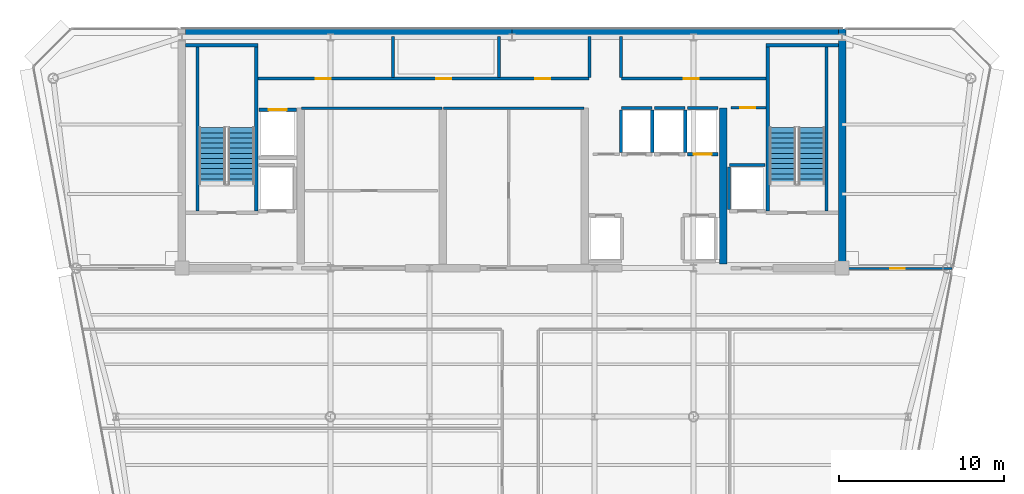
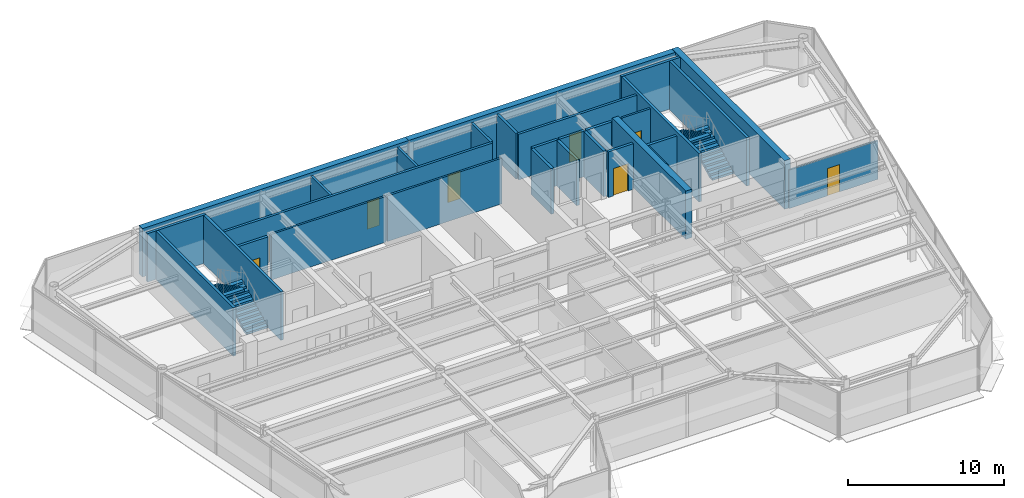
# One storey, part 12 of 19: 30 walls, 8 doors, 4 stair flights, 8 openings, 2 elements without a shape of their own.
"""IFC4 building model written with IfcOpenShell, lengths in metres."""

import ifcopenshell
import ifcopenshell.guid

model = None  # the IFC model being written
_history = None  # IfcOwnerHistory: only IFC2X3 demands one
_inside = {}  # id of a spatial element -> (the spatial element, [elements in it])
_under = {}  # id of a project, library or spatial element -> (it, [spatial elements below it])
_declared = {}  # id of a project -> (the project, [libraries it declares])
_typed = {}  # id of a type object -> (the type object, [elements of that type])
_made_of = {}  # id of a material, layer set ... -> (it, [elements and type objects made of it])


def new_model(schema):
    """Start an empty IFC model of exactly this schema.

    Asked for "IFC4X3", IfcOpenShell would pick the latest addendum, in which some entities
    have other attributes; the version numbers below select the first issue.
    IFC2X3 requires an IfcOwnerHistory on every rooted entity: one is made here for all.
    """
    global model, _history
    if schema == "IFC4X3":
        model = ifcopenshell.file(schema_version=(4, 3, 0, 0))
    else:
        model = ifcopenshell.file(schema=schema)
    _inside.clear()
    _under.clear()
    _declared.clear()
    _typed.clear()
    _made_of.clear()
    _history = None
    if model.schema == "IFC2X3":
        org = make("IfcOrganization", Name="unknown")
        user = make(
            "IfcPersonAndOrganization",
            ThePerson=make("IfcPerson", FamilyName="unknown"),
            TheOrganization=org,
        )
        app = make(
            "IfcApplication",
            ApplicationDeveloper=org,
            Version="unknown",
            ApplicationFullName="unknown",
            ApplicationIdentifier="unknown",
        )
        _history = make(
            "IfcOwnerHistory",
            OwningUser=user,
            OwningApplication=app,
            ChangeAction="ADDED",
            CreationDate=0,
        )
    return model


def make(cls, **values):
    """One entity of the class cls with the attributes given. An attribute that is None is left unset."""
    return model.create_entity(
        cls, **{name: value for name, value in values.items() if value is not None}
    )


def rooted(cls, **values):
    """An entity with a GlobalId (a new one), such as an element, a storey or a relation."""
    return make(cls, GlobalId=ifcopenshell.guid.new(), OwnerHistory=_history, **values)


def si_unit(unit_type, name, prefix=None):
    """IfcSIUnit, for example si_unit("LENGTHUNIT", "METRE", prefix="MILLI")."""
    return make("IfcSIUnit", UnitType=unit_type, Prefix=prefix, Name=name)


def assignment(units):
    """IfcUnitAssignment: the units of a project."""
    return None if units is None else make("IfcUnitAssignment", Units=units)


def point(xyz):
    """IfcCartesianPoint."""
    return None if xyz is None else make("IfcCartesianPoint", Coordinates=xyz)


def direction(xyz):
    """IfcDirection."""
    return None if xyz is None else make("IfcDirection", DirectionRatios=xyz)


def frame(location, z_axis=None, x_axis=None):
    """IfcAxis2Placement3D, a coordinate frame: its origin and axes. An axis left out is left unset."""
    return make(
        "IfcAxis2Placement3D",
        Location=point(location),
        Axis=direction(z_axis),
        RefDirection=direction(x_axis),
    )


def frame_2d(location, x_axis=None):
    """IfcAxis2Placement2D, a coordinate frame in the plane: its origin and x axis."""
    return make(
        "IfcAxis2Placement2D", Location=point(location), RefDirection=direction(x_axis)
    )


def origin():
    """The frame at (0, 0, 0) with its axes left unset."""
    return frame((0.0, 0.0, 0.0))


def place(relative_to, where):
    """IfcLocalPlacement: puts the frame where relative to a parent placement (None: the world)."""
    return make(
        "IfcLocalPlacement", PlacementRelTo=relative_to, RelativePlacement=where
    )


def context(
    kind, dimensions, precision=None, world=None, true_north=None, identifier=None
):
    """IfcGeometricRepresentationContext, for example the 3D "Model" context."""
    return make(
        "IfcGeometricRepresentationContext",
        ContextIdentifier=identifier,
        ContextType=kind,
        CoordinateSpaceDimension=dimensions,
        Precision=precision,
        WorldCoordinateSystem=world,
        TrueNorth=true_north,
    )


def subcontext(parent, identifier, kind, view, scale=None):
    """IfcGeometricRepresentationSubContext, for example "Body" below "Model"."""
    return make(
        "IfcGeometricRepresentationSubContext",
        ContextIdentifier=identifier,
        ContextType=kind,
        ParentContext=parent,
        TargetScale=scale,
        TargetView=view,
    )


def project(units=None, contexts=None):
    """IfcProject with its units and contexts."""
    return rooted(
        "IfcProject",
        Name="project",
        RepresentationContexts=contexts,
        UnitsInContext=assignment(units),
    )


def spatial(cls, under=None, at=None, **own):
    """A site, building, storey or space (cls), placed at a placement, below another one or the project."""
    s = rooted(cls, ObjectPlacement=at, **own)
    if under is not None:
        _under.setdefault(under.id(), (under, []))[1].append(s)
    return s


def polyline(points):
    """IfcPolyline through the points."""
    return make("IfcPolyline", Points=[point(p) for p in points])


def profile(cls, at=None, kind="AREA", **sizes):
    """A parametric profile (cls). Its sizes go by their IFC names, for example OverallWidth=200.0."""
    return make(cls, ProfileType=kind, Position=at, **sizes)


def rectangle(**sizes):
    """IfcRectangleProfileDef."""
    return profile("IfcRectangleProfileDef", **sizes)


def outline(outer, holes=None, kind="AREA"):
    """IfcArbitraryClosedProfileDef: a profile drawn as a closed curve; with holes, ...WithVoids."""
    if holes is None:
        return make("IfcArbitraryClosedProfileDef", ProfileType=kind, OuterCurve=outer)
    return make(
        "IfcArbitraryProfileDefWithVoids",
        ProfileType=kind,
        OuterCurve=outer,
        InnerCurves=holes,
    )


def extrude(swept, where, along, depth):
    """IfcExtrudedAreaSolid: the profile swept, set in the frame where, extruded along a direction by depth."""
    return make(
        "IfcExtrudedAreaSolid",
        SweptArea=swept,
        Position=where,
        ExtrudedDirection=direction(along),
        Depth=depth,
    )


def shape(context_of_items, identifier, shape_type, items):
    """IfcShapeRepresentation: the items that make up one representation, for example the "Body"."""
    return make(
        "IfcShapeRepresentation",
        ContextOfItems=context_of_items,
        RepresentationIdentifier=identifier,
        RepresentationType=shape_type,
        Items=items,
    )


def source(mapping_origin, context_of_items, identifier, shape_type, items):
    """IfcRepresentationMap: a shape defined once, which mapped items show again and again."""
    return make(
        "IfcRepresentationMap",
        MappingOrigin=mapping_origin,
        MappedRepresentation=shape(context_of_items, identifier, shape_type, items),
    )


def transform(
    local_origin,
    x_axis=None,
    y_axis=None,
    z_axis=None,
    scale=None,
    scale2=None,
    scale3=None,
    uniform=True,
):
    """IfcCartesianTransformationOperator3D, or its non-uniform kind. x_axis, y_axis, z_axis: its Axis1, 2, 3."""
    if uniform:
        return make(
            "IfcCartesianTransformationOperator3D",
            Axis1=direction(x_axis),
            Axis2=direction(y_axis),
            LocalOrigin=point(local_origin),
            Scale=scale,
            Axis3=direction(z_axis),
        )
    return make(
        "IfcCartesianTransformationOperator3DnonUniform",
        Axis1=direction(x_axis),
        Axis2=direction(y_axis),
        LocalOrigin=point(local_origin),
        Scale=scale,
        Axis3=direction(z_axis),
        Scale2=scale2,
        Scale3=scale3,
    )


def mapped(mapping_source, mapping_target):
    """IfcMappedItem: shows the shape of a source again, moved by a transform."""
    return make(
        "IfcMappedItem", MappingSource=mapping_source, MappingTarget=mapping_target
    )


def material(Name=None, Category=None):
    """IfcMaterial."""
    return make("IfcMaterial", Name=Name, Category=Category)


def layer(
    of_material, thickness, ventilated=None, Name=None, Category=None, Priority=None
):
    """IfcMaterialLayer: one layer of a wall or slab, of a material (None: an air gap)."""
    return make(
        "IfcMaterialLayer",
        Material=of_material,
        LayerThickness=thickness,
        IsVentilated=ventilated,
        Name=Name,
        Category=Category,
        Priority=Priority,
    )


def layer_set(layers, Name=None):
    """IfcMaterialLayerSet."""
    return make("IfcMaterialLayerSet", MaterialLayers=layers, LayerSetName=Name)


def made_of(thing, what):
    """Note that an element or type object is made of a material, layer set ...; save() writes the relation."""
    if what is not None:
        _made_of.setdefault(what.id(), (what, []))[1].append(thing)
    return thing


def type_object(cls, material=None, **own):
    """A type object (cls), such as IfcWallType, which elements share."""
    return made_of(rooted(cls, **own), material)


def element(
    cls,
    number,
    at=None,
    inside=None,
    cuts=None,
    type_object=None,
    material=None,
    context=None,
    identifier="Body",
    shape_type=None,
    held_by="IfcProductDefinitionShape",
    body=None,
    shapes=None,
    **own,
):
    """One element of the class cls, such as IfcWall. Its Tag is "e" and its number.

    at: its placement. inside: the storey or other place that contains it. cuts: it is an
    opening in that element (IfcRelVoidsElement). A single representation is given by context,
    identifier, shape_type and body (its items); several are given by shapes. held_by: the class
    of the entity that holds the representations. save() writes the other relations.
    """
    e = rooted(cls, Tag="e%d" % number, ObjectPlacement=at, **own)
    if body is not None:
        shapes = [shape(context, identifier, shape_type, body)]
    if shapes is not None:
        e.Representation = make(held_by, Representations=shapes)
    if inside is not None:
        _inside.setdefault(inside.id(), (inside, []))[1].append(e)
    if cuts is not None:
        rooted(
            "IfcRelVoidsElement", RelatingBuildingElement=cuts, RelatedOpeningElement=e
        )
    if type_object is not None:
        _typed.setdefault(type_object.id(), (type_object, []))[1].append(e)
    return made_of(e, material)


def fill(opening, filler):
    """IfcRelFillsElement: the door or window that sits in an opening."""
    return rooted(
        "IfcRelFillsElement",
        RelatingOpeningElement=opening,
        RelatedBuildingElement=filler,
    )


def aggregate(whole, parts):
    """IfcRelAggregates: a whole, such as a stair, and the parts it consists of."""
    return rooted("IfcRelAggregates", RelatingObject=whole, RelatedObjects=parts)


def save(model, path):
    """Write the relations noted so far, then the file.

    IfcRelAggregates (storeys below a building ...), IfcRelContainedInSpatialStructure (elements
    in a storey), IfcRelDefinesByType, IfcRelAssociatesMaterial and IfcRelDeclares: one each for
    every whole, place, type object, material and project.
    """
    for whole, parts in _under.values():
        aggregate(whole, parts)
    for where, things in _inside.values():
        rooted(
            "IfcRelContainedInSpatialStructure",
            RelatedElements=things,
            RelatingStructure=where,
        )
    for kind, things in _typed.values():
        rooted("IfcRelDefinesByType", RelatedObjects=things, RelatingType=kind)
    for what, things in _made_of.values():
        rooted("IfcRelAssociatesMaterial", RelatedObjects=things, RelatingMaterial=what)
    for by, libraries in _declared.values():
        rooted("IfcRelDeclares", RelatingContext=by, RelatedDefinitions=libraries)
    model.write(path)


model = new_model("IFC4")

# Units and contexts
model_context = context("Model", 3, precision=1e-05, world=origin(), true_north=direction((0.0, 1.0)))
body_context = subcontext(model_context, "Body", "Model", "MODEL_VIEW")
ifc_project = project(units=[si_unit("LENGTHUNIT", "METRE"), si_unit("AREAUNIT", "SQUARE_METRE"), si_unit("VOLUMEUNIT", "CUBIC_METRE"), si_unit("PLANEANGLEUNIT", "RADIAN"), si_unit("MASSUNIT", "GRAM", prefix="KILO")], contexts=[model_context])

# Site, building, storey
site_placement = place(None, origin())
site = spatial("IfcSite", under=ifc_project, at=site_placement, CompositionType="ELEMENT")
building_placement = place(site_placement, origin())
building = spatial("IfcBuilding", under=site, at=building_placement, Name="Vaeldorn Concourse Tower", CompositionType="ELEMENT")
storey_placement = place(building_placement, frame((0.0, 0.0, 272.60009765625)))
storey = spatial("IfcBuildingStorey", under=building, at=storey_placement, Name="L70", CompositionType="ELEMENT", Elevation=272.60009765625)

# Walls
ifc_material_1 = material(Name="Concrete C50/60", Category="concrete")
ifc_layer_1 = layer(ifc_material_1, 0.449951171875)
ifc_layer_set_1 = layer_set([ifc_layer_1], Name="Concrete C50/60")
wall_type_1 = type_object("IfcWallType", Name="WL-CORE-450", PredefinedType="SHEAR", material=ifc_layer_set_1)
for number, where, z_axis, x_axis, name in (
    (1, (14.22900390625, 50.77490234375, 0.0), (0.0, 0.0, 1.0), (1.0, 0.0, 0.0), "Rear Core Shear Wall L70 N1"),
    (2, (34.001953125, 50.77490234375, 0.0), (0.0, 0.0, 1.0), (1.0, 0.0, 0.0), "Rear Core Shear Wall L70 N2"),
):
    element("IfcWall", number, at=place(storey_placement, frame(where, z_axis=z_axis, x_axis=x_axis)), inside=storey, type_object=wall_type_1, Name=name, PredefinedType="SHEAR", context=body_context, shape_type="SweptSolid", body=[
        extrude(rectangle(XDim=19.76904296875, YDim=0.449951171875, at=frame_2d((9.884521484375, 0.0))), origin(), (0.0, 0.0, 1.0), 3.7998046875),
    ])
wall_1_placement = place(storey_placement, frame((54.0, 36.5, 0.0), z_axis=(0.0, 0.0, 1.0), x_axis=(0.0, 1.0, 0.0)))
element("IfcWall", 3, at=wall_1_placement, inside=storey, type_object=wall_type_1, Name="Rear Core Shear Wall L70 E1", PredefinedType="SHEAR", context=body_context, shape_type="SweptSolid", body=[
    extrude(rectangle(XDim=14.5, YDim=0.449951171875, at=frame_2d((7.25, 0.0))), origin(), (0.0, 0.0, 1.0), 3.7998046875),
])
wall_2_placement = place(storey_placement, frame((46.800048828125, 36.7451171875, 0.0), z_axis=(0.0, 0.0, 1.0), x_axis=(0.0, 1.0, 0.0)))
element("IfcWall", 4, at=wall_2_placement, inside=storey, type_object=wall_type_1, Name="Rear Core Shear Wall L70 M4", PredefinedType="SHEAR", context=body_context, shape_type="SweptSolid", body=[
    extrude(rectangle(XDim=9.454833984375, YDim=0.449951171875, at=frame_2d((4.7275390625, 0.0))), origin(), (0.0, 0.0, 1.0), 3.7998046875),
])

# Wall, opening, door
ifc_material_2 = material(Name="Gypsum Board Partition", Category="gypsum")
ifc_layer_2 = layer(ifc_material_2, 0.1201171875)
ifc_layer_set_2 = layer_set([ifc_layer_2], Name="Gypsum Board Partition")
wall_type_2 = type_object("IfcWallType", Name="WL-PART-120", PredefinedType="PARTITIONING", material=ifc_layer_set_2)
wall_3_placement = place(storey_placement, frame((54.06005859375, 36.47998046875, 0.0), z_axis=(0.0, 0.0, 1.0), x_axis=(1.0, 0.0, 0.0)))
wall_3 = element("IfcWall", 5, at=wall_3_placement, inside=storey, type_object=wall_type_2, Name="Interior Wall PW-L70-NES", PredefinedType="PARTITIONING", context=body_context, shape_type="SweptSolid", body=[
    extrude(rectangle(XDim=6.603759765625, YDim=0.1201171875, at=frame_2d((3.3017578125, 0.0))), origin(), (0.0, 0.0, 1.0), 3.02001953125),
])
opening_1_placement = place(wall_3_placement, frame((2.85205078125, 0.0, 0.0)))
opening_1 = element("IfcOpeningElement", 6, at=opening_1_placement, cuts=wall_3, Name="Opening D-03", PredefinedType="OPENING", context=body_context, shape_type="SweptSolid", body=[
    extrude(rectangle(XDim=0.89990234375, YDim=2.14990234375, at=frame_2d((0.449951171875, 1.074951171875))), frame((0.0, 0.070068359375, 0.0), z_axis=(0.0, -1.0, 0.0), x_axis=(1.0, 0.0, 0.0)), (0.0, 0.0, 1.0), 0.14013671875),
])
ifc_material_3 = material(Name="Acoustic Bronze-Framed Glass Door", Category="glass")
door_type_1 = type_object("IfcDoorType", Name="DR-INT-900", OperationType="NOTDEFINED", PredefinedType="DOOR", material=ifc_material_3)
shared_shape_1 = source(origin(), body_context, "Body", "SweptSolid", [
    extrude(rectangle(XDim=0.89990234375, YDim=2.14990234375, at=frame_2d((0.449951171875, 1.074951171875))), frame((0.0, 0.02490234375, 0.0), z_axis=(0.0, -1.0, 0.0), x_axis=(1.0, 0.0, 0.0)), (0.0, 0.0, 1.0), 0.050048828125),
])
door_1_placement = place(opening_1_placement, origin())
door_1 = element("IfcDoor", 7, at=door_1_placement, inside=storey, type_object=door_type_1, Name="Interior Door DR-L70-NEC", OperationType="SINGLE_SWING_RIGHT", OverallHeight=2.14990234375, OverallWidth=0.89990234375, PredefinedType="DOOR", context=body_context, shape_type="MappedRepresentation", body=[
    mapped(shared_shape_1, transform((0.0, 0.0, 0.0), scale=1.0)),
])
fill(opening_1, door_1)

# Walls
ifc_layer_3 = layer(ifc_material_2, 0.14990234375)
ifc_layer_set_3 = layer_set([ifc_layer_3], Name="Gypsum Board Partition")
wall_type_3 = type_object("IfcWallType", Name="WL-PART-150", PredefinedType="PARTITIONING", material=ifc_layer_set_3)
for number, where, z_axis, x_axis, name in (
    (8, (21.25, 46.199951171875, 0.0), (0.0, 0.0, 1.0), (1.0, 0.0, 0.0), "Interior Wall CW-L70-R1N"),
    (9, (29.85009765625, 46.199951171875, 0.0), (0.0, 0.0, 1.0), (1.0, 0.0, 0.0), "Interior Wall CW-L70-R2N"),
):
    element("IfcWall", number, at=place(storey_placement, frame(where, z_axis=z_axis, x_axis=x_axis)), inside=storey, type_object=wall_type_3, Name=name, PredefinedType="PARTITIONING", context=body_context, shape_type="SweptSolid", body=[
        extrude(rectangle(XDim=8.5, YDim=0.14990234375, at=frame_2d((4.25, 0.0))), origin(), (0.0, 0.0, 1.0), 3.579833984375),
    ])

# Wall, opening, door
wall_4_placement = place(storey_placement, frame((47.280029296875, 46.219970703125, 0.0), z_axis=(0.0, 0.0, 1.0), x_axis=(1.0, 0.0, 0.0)))
wall_4 = element("IfcWall", 10, at=wall_4_placement, inside=storey, type_object=wall_type_3, Name="Interior Wall CW-L70-CRSE-N", PredefinedType="PARTITIONING", context=body_context, shape_type="SweptSolid", body=[
    extrude(rectangle(XDim=2.099853515625, YDim=0.14990234375, at=frame_2d((1.0498046875, 0.0))), origin(), (0.0, 0.0, 1.0), 3.579833984375),
])
opening_2_placement = place(wall_4_placement, frame((0.550048828125, 0.0, 0.0)))
opening_2 = element("IfcOpeningElement", 11, at=opening_2_placement, cuts=wall_4, Name="Opening D-02", PredefinedType="OPENING", context=body_context, shape_type="SweptSolid", body=[
    extrude(rectangle(XDim=0.89990234375, YDim=2.10009765625, at=frame_2d((0.449951171875, 1.050048828125))), frame((0.0, 0.0849609375, 0.0), z_axis=(0.0, -1.0, 0.0), x_axis=(1.0, 0.0, 0.0)), (0.0, 0.0, 1.0), 0.169921875),
])
ifc_material_4 = material(Name="Fire-Rated Timber Leaf", Category="wood")
door_type_2 = type_object("IfcDoorType", Name="DR-FD30-900", OperationType="NOTDEFINED", PredefinedType="DOOR", material=ifc_material_4)
shared_shape_2 = source(origin(), body_context, "Body", "SweptSolid", [
    extrude(rectangle(XDim=0.89990234375, YDim=2.10009765625, at=frame_2d((0.449951171875, 1.050048828125))), frame((0.0, 0.02490234375, 0.0), z_axis=(0.0, -1.0, 0.0), x_axis=(1.0, 0.0, 0.0)), (0.0, 0.0, 1.0), 0.050048828125),
])
door_2_placement = place(opening_2_placement, origin())
door_2 = element("IfcDoor", 12, at=door_2_placement, inside=storey, type_object=door_type_2, Name="Interior Door DR-L70-CRSE", OperationType="SINGLE_SWING_RIGHT", OverallHeight=2.10009765625, OverallWidth=0.89990234375, PredefinedType="DOOR", context=body_context, shape_type="MappedRepresentation", body=[
    mapped(shared_shape_2, transform((0.0, 0.0, 0.0), scale=1.0)),
])
fill(opening_2, door_2)

# Wall, openings, doors
ifc_layer_4 = layer(ifc_material_2, 0.179931640625)
ifc_layer_set_4 = layer_set([ifc_layer_4], Name="Gypsum Board Partition")
wall_type_4 = type_object("IfcWallType", Name="WL-PLUMB-180", PredefinedType="PLUMBINGWALL", material=ifc_layer_set_4)
wall_5_placement = place(storey_placement, frame((18.6201171875, 47.97998046875, 0.0), z_axis=(0.0, 0.0, 1.0), x_axis=(1.0, 0.0, 0.0)))
wall_5 = element("IfcWall", 13, at=wall_5_placement, inside=storey, type_object=wall_type_4, Name="Interior Wall CW-L70-NS1W", PredefinedType="PLUMBINGWALL", context=body_context, shape_type="SweptSolid", body=[
    extrude(rectangle(XDim=20.059814453125, YDim=0.179931640625, at=frame_2d((10.02978515625, 0.0))), origin(), (0.0, 0.0, 1.0), 3.579833984375),
])
opening_3_placement = place(wall_5_placement, frame((3.5, 0.0, 0.0)))
opening_3 = element("IfcOpeningElement", 14, at=opening_3_placement, cuts=wall_5, Name="Opening D-03", PredefinedType="OPENING", context=body_context, shape_type="SweptSolid", body=[
    extrude(rectangle(XDim=0.89990234375, YDim=2.14990234375, at=frame_2d((0.449951171875, 1.074951171875))), frame((0.0, 0.10009765625, 0.0), z_axis=(0.0, -1.0, 0.0), x_axis=(1.0, 0.0, 0.0)), (0.0, 0.0, 1.0), 0.199951171875),
])
opening_4_placement = place(wall_5_placement, frame((10.800048828125, 0.0, 0.0)))
opening_4 = element("IfcOpeningElement", 15, at=opening_4_placement, cuts=wall_5, Name="Opening D-03", PredefinedType="OPENING", context=body_context, shape_type="SweptSolid", body=[
    extrude(rectangle(XDim=0.89990234375, YDim=2.14990234375, at=frame_2d((0.449951171875, 1.074951171875))), frame((0.0, 0.10009765625, 0.0), z_axis=(0.0, -1.0, 0.0), x_axis=(1.0, 0.0, 0.0)), (0.0, 0.0, 1.0), 0.199951171875),
])
opening_5_placement = place(wall_5_placement, frame((16.800048828125, 0.0, 0.0)))
opening_5 = element("IfcOpeningElement", 16, at=opening_5_placement, cuts=wall_5, Name="Opening D-03", PredefinedType="OPENING", context=body_context, shape_type="SweptSolid", body=[
    extrude(rectangle(XDim=0.89990234375, YDim=2.14990234375, at=frame_2d((0.449951171875, 1.074951171875))), frame((0.0, 0.10009765625, 0.0), z_axis=(0.0, -1.0, 0.0), x_axis=(1.0, 0.0, 0.0)), (0.0, 0.0, 1.0), 0.199951171875),
])
door_3_placement = place(opening_3_placement, origin())
door_3 = element("IfcDoor", 17, at=door_3_placement, inside=storey, type_object=door_type_1, Name="Interior Door DR-L70-CS1", OperationType="SINGLE_SWING_LEFT", OverallHeight=2.14990234375, OverallWidth=0.89990234375, PredefinedType="DOOR", context=body_context, shape_type="MappedRepresentation", body=[
    mapped(shared_shape_1, transform((0.0, 0.0, 0.0), scale=1.0)),
])
fill(opening_3, door_3)
door_4_placement = place(opening_4_placement, origin())
door_4 = element("IfcDoor", 18, at=door_4_placement, inside=storey, type_object=door_type_1, Name="Interior Door DR-L70-CS2", OperationType="SINGLE_SWING_RIGHT", OverallHeight=2.14990234375, OverallWidth=0.89990234375, PredefinedType="DOOR", context=body_context, shape_type="MappedRepresentation", body=[
    mapped(shared_shape_1, transform((0.0, 0.0, 0.0), scale=1.0)),
])
fill(opening_4, door_4)
door_5_placement = place(opening_5_placement, origin())
door_5 = element("IfcDoor", 19, at=door_5_placement, inside=storey, type_object=door_type_1, Name="Interior Door DR-L70-CS3", OperationType="SINGLE_SWING_LEFT", OverallHeight=2.14990234375, OverallWidth=0.89990234375, PredefinedType="DOOR", context=body_context, shape_type="MappedRepresentation", body=[
    mapped(shared_shape_1, transform((0.0, 0.0, 0.0), scale=1.0)),
])
fill(opening_5, door_5)

# Wall, opening, door
wall_6_placement = place(storey_placement, frame((40.6201171875, 47.97998046875, 0.0), z_axis=(0.0, 0.0, 1.0), x_axis=(1.0, 0.0, 0.0)))
wall_6 = element("IfcWall", 20, at=wall_6_placement, inside=storey, type_object=wall_type_4, Name="Interior Wall CW-L70-NS1E", PredefinedType="PLUMBINGWALL", context=body_context, shape_type="SweptSolid", body=[
    extrude(rectangle(XDim=8.759765625, YDim=0.179931640625, at=frame_2d((4.3798828125, 0.0))), origin(), (0.0, 0.0, 1.0), 3.579833984375),
])
opening_6_placement = place(wall_6_placement, frame((3.800048828125, 0.0, 0.0)))
opening_6 = element("IfcOpeningElement", 21, at=opening_6_placement, cuts=wall_6, Name="Opening D-03", PredefinedType="OPENING", context=body_context, shape_type="SweptSolid", body=[
    extrude(rectangle(XDim=0.89990234375, YDim=2.14990234375, at=frame_2d((0.449951171875, 1.074951171875))), frame((0.0, 0.10009765625, 0.0), z_axis=(0.0, -1.0, 0.0), x_axis=(1.0, 0.0, 0.0)), (0.0, 0.0, 1.0), 0.199951171875),
])
door_6_placement = place(opening_6_placement, origin())
door_6 = element("IfcDoor", 22, at=door_6_placement, inside=storey, type_object=door_type_1, Name="Interior Door DR-L70-CS4", OperationType="SINGLE_SWING_RIGHT", OverallHeight=2.14990234375, OverallWidth=0.89990234375, PredefinedType="DOOR", context=body_context, shape_type="MappedRepresentation", body=[
    mapped(shared_shape_1, transform((0.0, 0.0, 0.0), scale=1.0)),
])
fill(opening_6, door_6)

# Walls
for number, where, z_axis, x_axis, name in (
    (23, (26.800048828125, 48.06005859375, 0.0), (0.0, 0.0, 1.0), (0.0, 1.0, 0.0), "Interior Wall CW-L70-NDIV1"),
    (24, (33.199951171875, 48.06005859375, 0.0), (0.0, 0.0, 1.0), (0.0, 1.0, 0.0), "Interior Wall CW-L70-NDIV2"),
    (25, (38.699951171875, 48.06005859375, 0.0), (0.0, 0.0, 1.0), (0.0, 1.0, 0.0), "Interior Wall CW-L70-NDIV3"),
    (26, (40.60009765625, 48.06005859375, 0.0), (0.0, 0.0, 1.0), (0.0, 1.0, 0.0), "Interior Wall CW-L70-NDIV4"),
):
    element("IfcWall", number, at=place(storey_placement, frame(where, z_axis=z_axis, x_axis=x_axis)), inside=storey, type_object=wall_type_4, Name=name, PredefinedType="PLUMBINGWALL", context=body_context, shape_type="SweptSolid", body=[
        extrude(rectangle(XDim=2.469970703125, YDim=0.179931640625, at=frame_2d((1.23486328125, 0.0))), origin(), (0.0, 0.0, 1.0), 3.579833984375),
    ])
ifc_layer_5 = layer(ifc_material_1, 0.199951171875)
ifc_layer_set_5 = layer_set([ifc_layer_5], Name="Concrete C50/60")
wall_type_5 = type_object("IfcWallType", Name="WL-SHAFT-200", PredefinedType="SOLIDWALL", material=ifc_layer_set_5)
wall_7_placement = place(storey_placement, frame((14.22509765625, 50.0, 0.0), z_axis=(0.0, 0.0, 1.0), x_axis=(1.0, 0.0, 0.0)))
element("IfcWall", 27, at=wall_7_placement, inside=storey, type_object=wall_type_5, Name="Stair Shaft Wall CW-L70-ST-1-N", PredefinedType="SOLIDWALL", context=body_context, shape_type="SweptSolid", body=[
    extrude(rectangle(XDim=4.375, YDim=0.199951171875, at=frame_2d((2.1875, 0.0))), origin(), (0.0, 0.0, 1.0), 3.7998046875),
])
for number, where, z_axis, x_axis, name in (
    (28, (14.949951171875, 39.9599609375, 0.0), (0.0, 0.0, 1.0), (0.0, 1.0, 0.0), "Stair Shaft Wall CW-L70-ST-1-W"),
    (29, (18.5, 39.9599609375, 0.0), (0.0, 0.0, 1.0), (0.0, 1.0, 0.0), "Stair Shaft Wall CW-L70-ST-1-E"),
):
    element("IfcWall", number, at=place(storey_placement, frame(where, z_axis=z_axis, x_axis=x_axis)), inside=storey, type_object=wall_type_5, Name=name, PredefinedType="SOLIDWALL", context=body_context, shape_type="SweptSolid", body=[
        extrude(rectangle(XDim=9.929931640625, YDim=0.199951171875, at=frame_2d((4.96484375, 0.0))), origin(), (0.0, 0.0, 1.0), 3.7998046875),
    ])
wall_8_placement = place(storey_placement, frame((49.39990234375, 50.0, 0.0), z_axis=(0.0, 0.0, 1.0), x_axis=(1.0, 0.0, 0.0)))
element("IfcWall", 30, at=wall_8_placement, inside=storey, type_object=wall_type_5, Name="Stair Shaft Wall CW-L70-ST-2-N", PredefinedType="SOLIDWALL", context=body_context, shape_type="SweptSolid", body=[
    extrude(rectangle(XDim=4.375, YDim=0.199951171875, at=frame_2d((2.1875, 0.0))), origin(), (0.0, 0.0, 1.0), 3.7998046875),
])
for number, where, z_axis, x_axis, name in (
    (31, (49.5, 39.9599609375, 0.0), (0.0, 0.0, 1.0), (0.0, 1.0, 0.0), "Stair Shaft Wall CW-L70-ST-2-W"),
    (32, (53.050048828125, 39.9599609375, 0.0), (0.0, 0.0, 1.0), (0.0, 1.0, 0.0), "Stair Shaft Wall CW-L70-ST-2-E"),
):
    element("IfcWall", number, at=place(storey_placement, frame(where, z_axis=z_axis, x_axis=x_axis)), inside=storey, type_object=wall_type_5, Name=name, PredefinedType="SOLIDWALL", context=body_context, shape_type="SweptSolid", body=[
        extrude(rectangle(XDim=9.929931640625, YDim=0.199951171875, at=frame_2d((4.96484375, 0.0))), origin(), (0.0, 0.0, 1.0), 3.7998046875),
    ])
wall_9_placement = place(storey_placement, frame((40.6201171875, 46.199951171875, 0.0), z_axis=(0.0, 0.0, 1.0), x_axis=(1.0, 0.0, 0.0)))
element("IfcWall", 33, at=wall_9_placement, inside=storey, type_object=wall_type_5, Name="Interior Wall CW-L70-LFB-LF-15", PredefinedType="SOLIDWALL", context=body_context, shape_type="SweptSolid", body=[
    extrude(rectangle(XDim=1.85986328125, YDim=0.199951171875, at=frame_2d((0.929931640625, 0.0))), origin(), (0.0, 0.0, 1.0), 3.579833984375),
])
for number, where, z_axis, x_axis, name in (
    (34, (40.60009765625, 43.52001953125, 0.0), (0.0, 0.0, 1.0), (0.0, 1.0, 0.0), "Interior Wall CW-L70-LFW-LF-15"),
    (35, (42.5, 43.52001953125, 0.0), (0.0, 0.0, 1.0), (0.0, 1.0, 0.0), "Interior Wall CW-L70-LFE-LF-15"),
):
    element("IfcWall", number, at=place(storey_placement, frame(where, z_axis=z_axis, x_axis=x_axis)), inside=storey, type_object=wall_type_5, Name=name, PredefinedType="SOLIDWALL", context=body_context, shape_type="SweptSolid", body=[
        extrude(rectangle(XDim=2.56005859375, YDim=0.199951171875, at=frame_2d((1.280029296875, 0.0))), origin(), (0.0, 0.0, 1.0), 3.579833984375),
    ])
wall_10_placement = place(storey_placement, frame((42.6201171875, 46.199951171875, 0.0), z_axis=(0.0, 0.0, 1.0), x_axis=(1.0, 0.0, 0.0)))
element("IfcWall", 36, at=wall_10_placement, inside=storey, type_object=wall_type_5, Name="Interior Wall CW-L70-LFB-LF-16", PredefinedType="SOLIDWALL", context=body_context, shape_type="SweptSolid", body=[
    extrude(rectangle(XDim=1.85986328125, YDim=0.199951171875, at=frame_2d((0.929931640625, 0.0))), origin(), (0.0, 0.0, 1.0), 3.579833984375),
])
wall_11_placement = place(storey_placement, frame((44.5, 43.52001953125, 0.0), z_axis=(0.0, 0.0, 1.0), x_axis=(0.0, 1.0, 0.0)))
element("IfcWall", 37, at=wall_11_placement, inside=storey, type_object=wall_type_5, Name="Interior Wall CW-L70-LFE-LF-16", PredefinedType="SOLIDWALL", context=body_context, shape_type="SweptSolid", body=[
    extrude(rectangle(XDim=2.56005859375, YDim=0.199951171875, at=frame_2d((1.280029296875, 0.0))), origin(), (0.0, 0.0, 1.0), 3.579833984375),
])

# Wall, opening, door
wall_12_placement = place(storey_placement, frame((44.6201171875, 43.39990234375, 0.0), z_axis=(0.0, 0.0, 1.0), x_axis=(1.0, 0.0, 0.0)))
wall_12 = element("IfcWall", 38, at=wall_12_placement, inside=storey, type_object=wall_type_5, Name="Interior Wall CW-L70-LF-LF-17", PredefinedType="SOLIDWALL", context=body_context, shape_type="SweptSolid", body=[
    extrude(rectangle(XDim=1.85986328125, YDim=0.199951171875, at=frame_2d((0.929931640625, 0.0))), origin(), (0.0, 0.0, 1.0), 3.579833984375),
])
opening_7_placement = place(wall_12_placement, frame((0.3798828125, 0.0, 0.0)))
opening_7 = element("IfcOpeningElement", 39, at=opening_7_placement, cuts=wall_12, Name="Opening LD-1", PredefinedType="OPENING", context=body_context, shape_type="SweptSolid", body=[
    extrude(rectangle(XDim=1.10009765625, YDim=2.14990234375, at=frame_2d((0.550048828125, 1.074951171875))), frame((0.0, 0.10986328125, 0.0), z_axis=(0.0, -1.0, 0.0), x_axis=(1.0, 0.0, 0.0)), (0.0, 0.0, 1.0), 0.219970703125),
])
ifc_material_5 = material(Name="Anodised Bronze Aluminium", Category="aluminium")
door_type_3 = type_object("IfcDoorType", Name="DR-LIFT-SLIDE-1100", OperationType="DOUBLE_DOOR_SLIDING", PredefinedType="DOOR", material=ifc_material_5)
shared_shape_3 = source(origin(), body_context, "Body", "SweptSolid", [
    extrude(rectangle(XDim=1.10009765625, YDim=2.14990234375, at=frame_2d((0.550048828125, 1.074951171875))), frame((0.0, 0.02490234375, 0.0), z_axis=(0.0, -1.0, 0.0), x_axis=(1.0, 0.0, 0.0)), (0.0, 0.0, 1.0), 0.050048828125),
])
door_7_placement = place(opening_7_placement, origin())
door_7 = element("IfcDoor", 40, at=door_7_placement, inside=storey, type_object=door_type_3, Name="Lift Landing Door LD-L70-LF-17", OperationType="DOUBLE_DOOR_SLIDING", OverallHeight=2.14990234375, OverallWidth=1.10009765625, PredefinedType="DOOR", context=body_context, shape_type="MappedRepresentation", body=[
    mapped(shared_shape_3, transform((0.0, 0.0, 0.0), scale=1.0)),
])
fill(opening_7, door_7)

# Wall
wall_13_placement = place(storey_placement, frame((44.6201171875, 46.199951171875, 0.0), z_axis=(0.0, 0.0, 1.0), x_axis=(1.0, 0.0, 0.0)))
element("IfcWall", 41, at=wall_13_placement, inside=storey, type_object=wall_type_5, Name="Interior Wall CW-L70-LFB-LF-17", PredefinedType="SOLIDWALL", context=body_context, shape_type="SweptSolid", body=[
    extrude(rectangle(XDim=1.85986328125, YDim=0.199951171875, at=frame_2d((0.929931640625, 0.0))), origin(), (0.0, 0.0, 1.0), 3.579833984375),
])

# Wall, opening, door
wall_14_placement = place(storey_placement, frame((18.669921875, 46.10009765625, 0.0), z_axis=(0.0, 0.0, 1.0), x_axis=(1.0, 0.0, 0.0)))
wall_14 = element("IfcWall", 42, at=wall_14_placement, inside=storey, type_object=wall_type_5, Name="Interior Wall CW-L70-LF-LF-SV1", PredefinedType="SOLIDWALL", context=body_context, shape_type="SweptSolid", body=[
    extrude(rectangle(XDim=2.260009765625, YDim=0.199951171875, at=frame_2d((1.1298828125, 0.0))), origin(), (0.0, 0.0, 1.0), 3.579833984375),
])
opening_8_placement = place(wall_14_placement, frame((0.580078125, 0.0, 0.0)))
opening_8 = element("IfcOpeningElement", 43, at=opening_8_placement, cuts=wall_14, Name="Opening LD-1", PredefinedType="OPENING", context=body_context, shape_type="SweptSolid", body=[
    extrude(rectangle(XDim=1.10009765625, YDim=2.14990234375, at=frame_2d((0.550048828125, 1.074951171875))), frame((0.0, 0.10986328125, 0.0), z_axis=(0.0, -1.0, 0.0), x_axis=(1.0, 0.0, 0.0)), (0.0, 0.0, 1.0), 0.219970703125),
])
door_8_placement = place(opening_8_placement, origin())
door_8 = element("IfcDoor", 44, at=door_8_placement, inside=storey, type_object=door_type_3, Name="Lift Landing Door LD-L70-LF-SV1", OperationType="DOUBLE_DOOR_SLIDING", OverallHeight=2.14990234375, OverallWidth=1.10009765625, PredefinedType="DOOR", context=body_context, shape_type="MappedRepresentation", body=[
    mapped(shared_shape_3, transform((0.0, 0.0, 0.0), scale=1.0)),
])
fill(opening_8, door_8)

# Walls
wall_15_placement = place(storey_placement, frame((47.169921875, 42.75, 0.0), z_axis=(0.0, 0.0, 1.0), x_axis=(1.0, 0.0, 0.0)))
element("IfcWall", 45, at=wall_15_placement, inside=storey, type_object=wall_type_5, Name="Interior Wall CW-L70-LFB-LF-FF2", PredefinedType="SOLIDWALL", context=body_context, shape_type="SweptSolid", body=[
    extrude(rectangle(XDim=2.16015625, YDim=0.199951171875, at=frame_2d((1.080078125, 0.0))), origin(), (0.0, 0.0, 1.0), 3.579833984375),
])
wall_16_placement = place(storey_placement, frame((47.14990234375, 40.070068359375, 0.0), z_axis=(0.0, 0.0, 1.0), x_axis=(0.0, 1.0, 0.0)))
element("IfcWall", 46, at=wall_16_placement, inside=storey, type_object=wall_type_5, Name="Interior Wall CW-L70-LFW-LF-FF2", PredefinedType="SOLIDWALL", context=body_context, shape_type="SweptSolid", body=[
    extrude(rectangle(XDim=2.559814453125, YDim=0.199951171875, at=frame_2d((1.27978515625, 0.0))), origin(), (0.0, 0.0, 1.0), 3.579833984375),
])

# Stair, stair flights
ifc_material_6 = material(Name="Precast concrete C40/50", Category="concrete")
stair_type = type_object("IfcStairType", Name="STR-DOG-24x158", PredefinedType="HALF_TURN_STAIR", material=ifc_material_6)
stair_1_placement = place(storey_placement, origin())
stair_1 = element("IfcStair", 47, at=stair_1_placement, inside=storey, type_object=stair_type, Name="L70 West Core Exit Stair ST-1", PredefinedType="HALF_TURN_STAIR")
stair_flight_type = type_object("IfcStairFlightType", Name="STF-STR-12x158", PredefinedType="STRAIGHT", material=ifc_material_6)
stair_flight_1_placement = place(storey_placement, frame((17.60009765625, 41.60009765625, 0.0), z_axis=(0.0, 0.0, 1.0), x_axis=(0.0, 1.0, 0.0)))
stair_flight_1 = element("IfcStairFlight", 48, at=stair_flight_1_placement, type_object=stair_flight_type, Name="ST-1 flight 1", NumberOfRisers=12, NumberOfTreads=11, PredefinedType="STRAIGHT", RiserHeight=0.158333333, TreadLength=0.31, context=body_context, shape_type="SweptSolid", body=[
    extrude(outline(polyline([(0.0, 0.0), (0.0, 0.158447265625), (0.31005859375, 0.158447265625), (0.31005859375, 0.316650390625), (0.6201171875, 0.316650390625), (0.6201171875, 0.47509765625), (0.929931640625, 0.47509765625), (0.929931640625, 0.63330078125), (1.239990234375, 0.63330078125), (1.239990234375, 0.791748046875), (1.550048828125, 0.791748046875), (1.550048828125, 0.949951171875), (1.860107421875, 0.949951171875), (1.860107421875, 1.1083984375), (2.169921875, 1.1083984375), (2.169921875, 1.2666015625), (2.47998046875, 1.2666015625), (2.47998046875, 1.425048828125), (2.7900390625, 1.425048828125), (2.7900390625, 1.583251953125), (3.10009765625, 1.583251953125), (3.10009765625, 1.74169921875), (3.409912109375, 1.74169921875), (3.409912109375, 1.89990234375), (3.409912109375, 1.5732421875), (0.32958984375, 0.0), (0.0, 0.0)])), frame((0.0, 0.800048828125, 0.0), z_axis=(0.0, -1.0, 0.0), x_axis=(1.0, 0.0, 0.0)), (0.0, 0.0, 1.0), 1.60009765625),
])
stair_flight_2_placement = place(storey_placement, frame((15.85009765625, 45.010009765625, 1.89990234375), z_axis=(0.0, 0.0, 1.0), x_axis=(0.0, -1.0, 0.0)))
stair_flight_2 = element("IfcStairFlight", 49, at=stair_flight_2_placement, type_object=stair_flight_type, Name="ST-1 flight 2", NumberOfRisers=12, NumberOfTreads=11, PredefinedType="STRAIGHT", RiserHeight=0.158333333, TreadLength=0.31, context=body_context, shape_type="SweptSolid", body=[
    extrude(outline(polyline([(0.0, 0.0), (0.0, 0.158447265625), (0.31005859375, 0.158447265625), (0.31005859375, 0.316650390625), (0.6201171875, 0.316650390625), (0.6201171875, 0.47509765625), (0.929931640625, 0.47509765625), (0.929931640625, 0.63330078125), (1.239990234375, 0.63330078125), (1.239990234375, 0.791748046875), (1.550048828125, 0.791748046875), (1.550048828125, 0.949951171875), (1.860107421875, 0.949951171875), (1.860107421875, 1.1083984375), (2.169921875, 1.1083984375), (2.169921875, 1.2666015625), (2.47998046875, 1.2666015625), (2.47998046875, 1.425048828125), (2.7900390625, 1.425048828125), (2.7900390625, 1.583251953125), (3.10009765625, 1.583251953125), (3.10009765625, 1.74169921875), (3.409912109375, 1.74169921875), (3.409912109375, 1.89990234375), (3.409912109375, 1.5732421875), (0.32958984375, 0.0), (0.0, 0.0)])), frame((0.0, 0.800048828125, 0.0), z_axis=(0.0, -1.0, 0.0), x_axis=(1.0, 0.0, 0.0)), (0.0, 0.0, 1.0), 1.60009765625),
])
aggregate(stair_1, [stair_flight_1, stair_flight_2])

stair_2_placement = place(storey_placement, origin())
stair_2 = element("IfcStair", 50, at=stair_2_placement, inside=storey, type_object=stair_type, Name="L70 East Core Exit Stair ST-2", PredefinedType="HALF_TURN_STAIR")
stair_flight_3_placement = place(storey_placement, frame((52.14990234375, 41.60009765625, 0.0), z_axis=(0.0, 0.0, 1.0), x_axis=(0.0, 1.0, 0.0)))
stair_flight_3 = element("IfcStairFlight", 51, at=stair_flight_3_placement, type_object=stair_flight_type, Name="ST-2 flight 1", NumberOfRisers=12, NumberOfTreads=11, PredefinedType="STRAIGHT", RiserHeight=0.158333333, TreadLength=0.31, context=body_context, shape_type="SweptSolid", body=[
    extrude(outline(polyline([(0.0, 0.0), (0.0, 0.158447265625), (0.31005859375, 0.158447265625), (0.31005859375, 0.316650390625), (0.6201171875, 0.316650390625), (0.6201171875, 0.47509765625), (0.929931640625, 0.47509765625), (0.929931640625, 0.63330078125), (1.239990234375, 0.63330078125), (1.239990234375, 0.791748046875), (1.550048828125, 0.791748046875), (1.550048828125, 0.949951171875), (1.860107421875, 0.949951171875), (1.860107421875, 1.1083984375), (2.169921875, 1.1083984375), (2.169921875, 1.2666015625), (2.47998046875, 1.2666015625), (2.47998046875, 1.425048828125), (2.7900390625, 1.425048828125), (2.7900390625, 1.583251953125), (3.10009765625, 1.583251953125), (3.10009765625, 1.74169921875), (3.409912109375, 1.74169921875), (3.409912109375, 1.89990234375), (3.409912109375, 1.5732421875), (0.32958984375, 0.0), (0.0, 0.0)])), frame((0.0, 0.800048828125, 0.0), z_axis=(0.0, -1.0, 0.0), x_axis=(1.0, 0.0, 0.0)), (0.0, 0.0, 1.0), 1.60009765625),
])
stair_flight_4_placement = place(storey_placement, frame((50.39990234375, 45.010009765625, 1.89990234375), z_axis=(0.0, 0.0, 1.0), x_axis=(0.0, -1.0, 0.0)))
stair_flight_4 = element("IfcStairFlight", 52, at=stair_flight_4_placement, type_object=stair_flight_type, Name="ST-2 flight 2", NumberOfRisers=12, NumberOfTreads=11, PredefinedType="STRAIGHT", RiserHeight=0.158333333, TreadLength=0.31, context=body_context, shape_type="SweptSolid", body=[
    extrude(outline(polyline([(0.0, 0.0), (0.0, 0.158447265625), (0.31005859375, 0.158447265625), (0.31005859375, 0.316650390625), (0.6201171875, 0.316650390625), (0.6201171875, 0.47509765625), (0.929931640625, 0.47509765625), (0.929931640625, 0.63330078125), (1.239990234375, 0.63330078125), (1.239990234375, 0.791748046875), (1.550048828125, 0.791748046875), (1.550048828125, 0.949951171875), (1.860107421875, 0.949951171875), (1.860107421875, 1.1083984375), (2.169921875, 1.1083984375), (2.169921875, 1.2666015625), (2.47998046875, 1.2666015625), (2.47998046875, 1.425048828125), (2.7900390625, 1.425048828125), (2.7900390625, 1.583251953125), (3.10009765625, 1.583251953125), (3.10009765625, 1.74169921875), (3.409912109375, 1.74169921875), (3.409912109375, 1.89990234375), (3.409912109375, 1.5732421875), (0.32958984375, 0.0), (0.0, 0.0)])), frame((0.0, 0.800048828125, 0.0), z_axis=(0.0, -1.0, 0.0), x_axis=(1.0, 0.0, 0.0)), (0.0, 0.0, 1.0), 1.60009765625),
])
aggregate(stair_2, [stair_flight_3, stair_flight_4])

save(model, "model.ifc")
